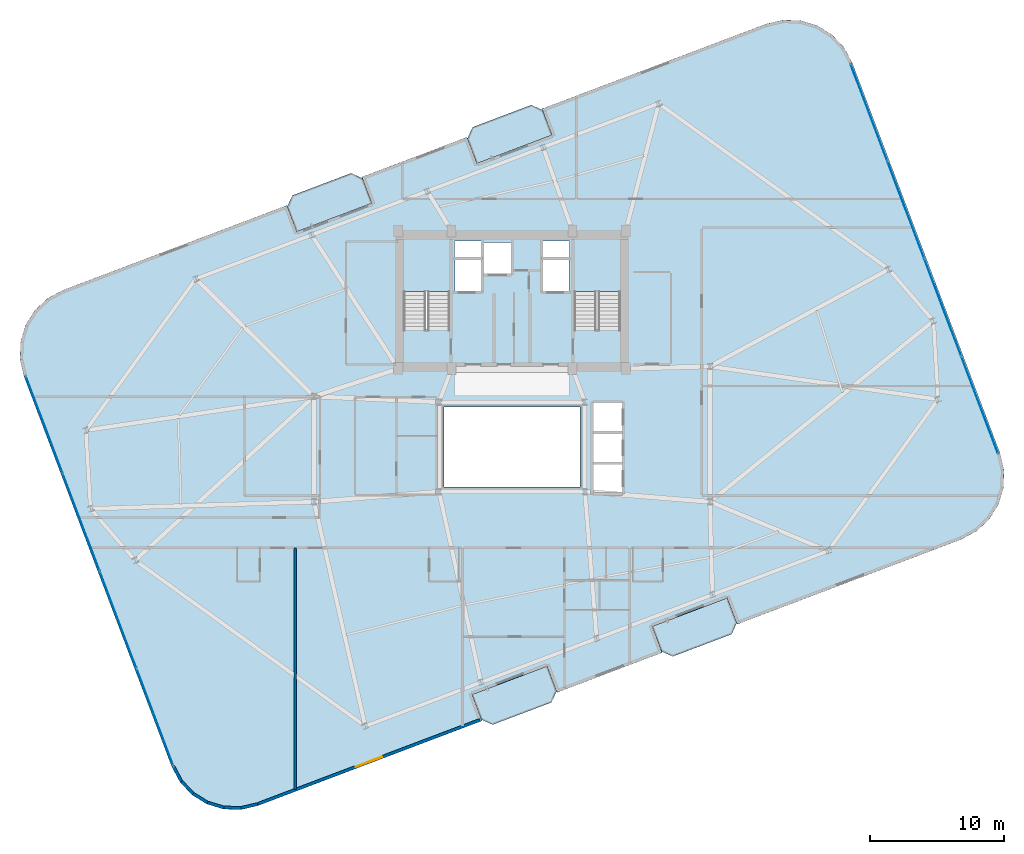
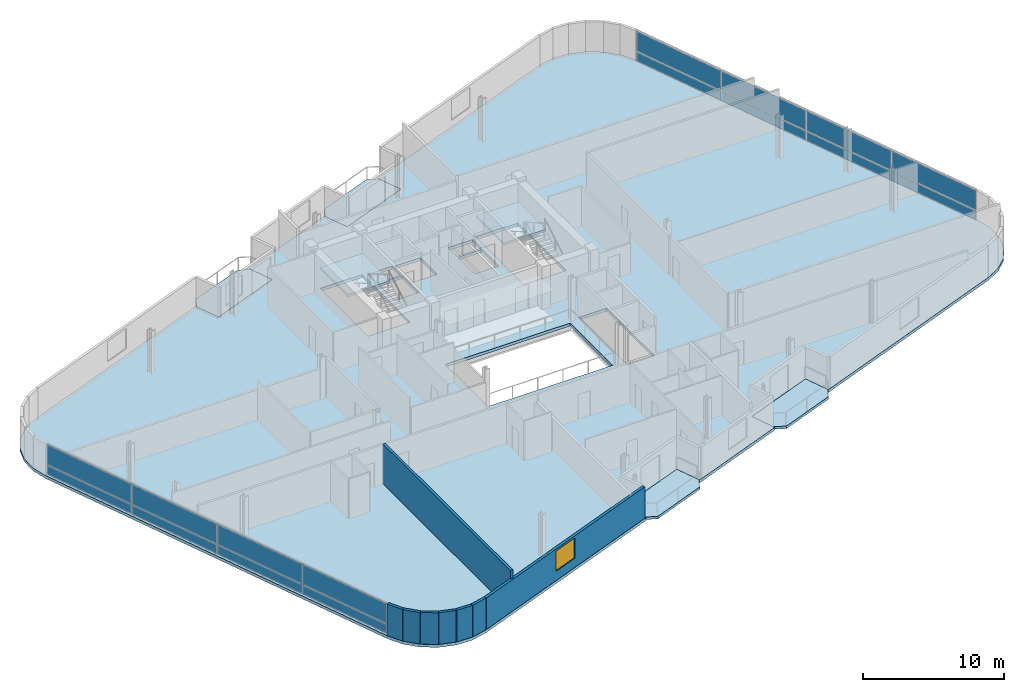
# One storey, part 13 of 19: 16 plates, 8 walls, 7 slabs, 1 window, 1 opening, 4 elements without a shape of their own.
"""IFC4 building model written with IfcOpenShell, lengths in metres."""

import ifcopenshell
import ifcopenshell.guid

model = None  # the IFC model being written
_history = None  # IfcOwnerHistory: only IFC2X3 demands one
_inside = {}  # id of a spatial element -> (the spatial element, [elements in it])
_under = {}  # id of a project, library or spatial element -> (it, [spatial elements below it])
_declared = {}  # id of a project -> (the project, [libraries it declares])
_typed = {}  # id of a type object -> (the type object, [elements of that type])
_made_of = {}  # id of a material, layer set ... -> (it, [elements and type objects made of it])


def new_model(schema):
    """Start an empty IFC model of exactly this schema.

    Asked for "IFC4X3", IfcOpenShell would pick the latest addendum, in which some entities
    have other attributes; the version numbers below select the first issue.
    IFC2X3 requires an IfcOwnerHistory on every rooted entity: one is made here for all.
    """
    global model, _history
    if schema == "IFC4X3":
        model = ifcopenshell.file(schema_version=(4, 3, 0, 0))
    else:
        model = ifcopenshell.file(schema=schema)
    _inside.clear()
    _under.clear()
    _declared.clear()
    _typed.clear()
    _made_of.clear()
    _history = None
    if model.schema == "IFC2X3":
        org = make("IfcOrganization", Name="unknown")
        user = make(
            "IfcPersonAndOrganization",
            ThePerson=make("IfcPerson", FamilyName="unknown"),
            TheOrganization=org,
        )
        app = make(
            "IfcApplication",
            ApplicationDeveloper=org,
            Version="unknown",
            ApplicationFullName="unknown",
            ApplicationIdentifier="unknown",
        )
        _history = make(
            "IfcOwnerHistory",
            OwningUser=user,
            OwningApplication=app,
            ChangeAction="ADDED",
            CreationDate=0,
        )
    return model


def make(cls, **values):
    """One entity of the class cls with the attributes given. An attribute that is None is left unset."""
    return model.create_entity(
        cls, **{name: value for name, value in values.items() if value is not None}
    )


def rooted(cls, **values):
    """An entity with a GlobalId (a new one), such as an element, a storey or a relation."""
    return make(cls, GlobalId=ifcopenshell.guid.new(), OwnerHistory=_history, **values)


def si_unit(unit_type, name, prefix=None):
    """IfcSIUnit, for example si_unit("LENGTHUNIT", "METRE", prefix="MILLI")."""
    return make("IfcSIUnit", UnitType=unit_type, Prefix=prefix, Name=name)


def assignment(units):
    """IfcUnitAssignment: the units of a project."""
    return None if units is None else make("IfcUnitAssignment", Units=units)


def point(xyz):
    """IfcCartesianPoint."""
    return None if xyz is None else make("IfcCartesianPoint", Coordinates=xyz)


def direction(xyz):
    """IfcDirection."""
    return None if xyz is None else make("IfcDirection", DirectionRatios=xyz)


def frame(location, z_axis=None, x_axis=None):
    """IfcAxis2Placement3D, a coordinate frame: its origin and axes. An axis left out is left unset."""
    return make(
        "IfcAxis2Placement3D",
        Location=point(location),
        Axis=direction(z_axis),
        RefDirection=direction(x_axis),
    )


def frame_2d(location, x_axis=None):
    """IfcAxis2Placement2D, a coordinate frame in the plane: its origin and x axis."""
    return make(
        "IfcAxis2Placement2D", Location=point(location), RefDirection=direction(x_axis)
    )


def origin():
    """The frame at (0, 0, 0) with its axes left unset."""
    return frame((0.0, 0.0, 0.0))


def origin_2d():
    """The frame at (0, 0) in the plane with its x axis left unset."""
    return frame_2d((0.0, 0.0))


def place(relative_to, where):
    """IfcLocalPlacement: puts the frame where relative to a parent placement (None: the world)."""
    return make(
        "IfcLocalPlacement", PlacementRelTo=relative_to, RelativePlacement=where
    )


def context(
    kind, dimensions, precision=None, world=None, true_north=None, identifier=None
):
    """IfcGeometricRepresentationContext, for example the 3D "Model" context."""
    return make(
        "IfcGeometricRepresentationContext",
        ContextIdentifier=identifier,
        ContextType=kind,
        CoordinateSpaceDimension=dimensions,
        Precision=precision,
        WorldCoordinateSystem=world,
        TrueNorth=true_north,
    )


def subcontext(parent, identifier, kind, view, scale=None):
    """IfcGeometricRepresentationSubContext, for example "Body" below "Model"."""
    return make(
        "IfcGeometricRepresentationSubContext",
        ContextIdentifier=identifier,
        ContextType=kind,
        ParentContext=parent,
        TargetScale=scale,
        TargetView=view,
    )


def project(units=None, contexts=None):
    """IfcProject with its units and contexts."""
    return rooted(
        "IfcProject",
        Name="project",
        RepresentationContexts=contexts,
        UnitsInContext=assignment(units),
    )


def spatial(cls, under=None, at=None, **own):
    """A site, building, storey or space (cls), placed at a placement, below another one or the project."""
    s = rooted(cls, ObjectPlacement=at, **own)
    if under is not None:
        _under.setdefault(under.id(), (under, []))[1].append(s)
    return s


def polyline(points):
    """IfcPolyline through the points."""
    return make("IfcPolyline", Points=[point(p) for p in points])


def profile(cls, at=None, kind="AREA", **sizes):
    """A parametric profile (cls). Its sizes go by their IFC names, for example OverallWidth=200.0."""
    return make(cls, ProfileType=kind, Position=at, **sizes)


def rectangle(**sizes):
    """IfcRectangleProfileDef."""
    return profile("IfcRectangleProfileDef", **sizes)


def outline(outer, holes=None, kind="AREA"):
    """IfcArbitraryClosedProfileDef: a profile drawn as a closed curve; with holes, ...WithVoids."""
    if holes is None:
        return make("IfcArbitraryClosedProfileDef", ProfileType=kind, OuterCurve=outer)
    return make(
        "IfcArbitraryProfileDefWithVoids",
        ProfileType=kind,
        OuterCurve=outer,
        InnerCurves=holes,
    )


def extrude(swept, where, along, depth):
    """IfcExtrudedAreaSolid: the profile swept, set in the frame where, extruded along a direction by depth."""
    return make(
        "IfcExtrudedAreaSolid",
        SweptArea=swept,
        Position=where,
        ExtrudedDirection=direction(along),
        Depth=depth,
    )


def shape(context_of_items, identifier, shape_type, items):
    """IfcShapeRepresentation: the items that make up one representation, for example the "Body"."""
    return make(
        "IfcShapeRepresentation",
        ContextOfItems=context_of_items,
        RepresentationIdentifier=identifier,
        RepresentationType=shape_type,
        Items=items,
    )


def source(mapping_origin, context_of_items, identifier, shape_type, items):
    """IfcRepresentationMap: a shape defined once, which mapped items show again and again."""
    return make(
        "IfcRepresentationMap",
        MappingOrigin=mapping_origin,
        MappedRepresentation=shape(context_of_items, identifier, shape_type, items),
    )


def transform(
    local_origin,
    x_axis=None,
    y_axis=None,
    z_axis=None,
    scale=None,
    scale2=None,
    scale3=None,
    uniform=True,
):
    """IfcCartesianTransformationOperator3D, or its non-uniform kind. x_axis, y_axis, z_axis: its Axis1, 2, 3."""
    if uniform:
        return make(
            "IfcCartesianTransformationOperator3D",
            Axis1=direction(x_axis),
            Axis2=direction(y_axis),
            LocalOrigin=point(local_origin),
            Scale=scale,
            Axis3=direction(z_axis),
        )
    return make(
        "IfcCartesianTransformationOperator3DnonUniform",
        Axis1=direction(x_axis),
        Axis2=direction(y_axis),
        LocalOrigin=point(local_origin),
        Scale=scale,
        Axis3=direction(z_axis),
        Scale2=scale2,
        Scale3=scale3,
    )


def mapped(mapping_source, mapping_target):
    """IfcMappedItem: shows the shape of a source again, moved by a transform."""
    return make(
        "IfcMappedItem", MappingSource=mapping_source, MappingTarget=mapping_target
    )


def material(Name=None, Category=None):
    """IfcMaterial."""
    return make("IfcMaterial", Name=Name, Category=Category)


def layer(
    of_material, thickness, ventilated=None, Name=None, Category=None, Priority=None
):
    """IfcMaterialLayer: one layer of a wall or slab, of a material (None: an air gap)."""
    return make(
        "IfcMaterialLayer",
        Material=of_material,
        LayerThickness=thickness,
        IsVentilated=ventilated,
        Name=Name,
        Category=Category,
        Priority=Priority,
    )


def layer_set(layers, Name=None):
    """IfcMaterialLayerSet."""
    return make("IfcMaterialLayerSet", MaterialLayers=layers, LayerSetName=Name)


def made_of(thing, what):
    """Note that an element or type object is made of a material, layer set ...; save() writes the relation."""
    if what is not None:
        _made_of.setdefault(what.id(), (what, []))[1].append(thing)
    return thing


def type_object(cls, material=None, **own):
    """A type object (cls), such as IfcWallType, which elements share."""
    return made_of(rooted(cls, **own), material)


def element(
    cls,
    number,
    at=None,
    inside=None,
    cuts=None,
    type_object=None,
    material=None,
    context=None,
    identifier="Body",
    shape_type=None,
    held_by="IfcProductDefinitionShape",
    body=None,
    shapes=None,
    **own,
):
    """One element of the class cls, such as IfcWall. Its Tag is "e" and its number.

    at: its placement. inside: the storey or other place that contains it. cuts: it is an
    opening in that element (IfcRelVoidsElement). A single representation is given by context,
    identifier, shape_type and body (its items); several are given by shapes. held_by: the class
    of the entity that holds the representations. save() writes the other relations.
    """
    e = rooted(cls, Tag="e%d" % number, ObjectPlacement=at, **own)
    if body is not None:
        shapes = [shape(context, identifier, shape_type, body)]
    if shapes is not None:
        e.Representation = make(held_by, Representations=shapes)
    if inside is not None:
        _inside.setdefault(inside.id(), (inside, []))[1].append(e)
    if cuts is not None:
        rooted(
            "IfcRelVoidsElement", RelatingBuildingElement=cuts, RelatedOpeningElement=e
        )
    if type_object is not None:
        _typed.setdefault(type_object.id(), (type_object, []))[1].append(e)
    return made_of(e, material)


def fill(opening, filler):
    """IfcRelFillsElement: the door or window that sits in an opening."""
    return rooted(
        "IfcRelFillsElement",
        RelatingOpeningElement=opening,
        RelatedBuildingElement=filler,
    )


def aggregate(whole, parts):
    """IfcRelAggregates: a whole, such as a stair, and the parts it consists of."""
    return rooted("IfcRelAggregates", RelatingObject=whole, RelatedObjects=parts)


def save(model, path):
    """Write the relations noted so far, then the file.

    IfcRelAggregates (storeys below a building ...), IfcRelContainedInSpatialStructure (elements
    in a storey), IfcRelDefinesByType, IfcRelAssociatesMaterial and IfcRelDeclares: one each for
    every whole, place, type object, material and project.
    """
    for whole, parts in _under.values():
        aggregate(whole, parts)
    for where, things in _inside.values():
        rooted(
            "IfcRelContainedInSpatialStructure",
            RelatedElements=things,
            RelatingStructure=where,
        )
    for kind, things in _typed.values():
        rooted("IfcRelDefinesByType", RelatedObjects=things, RelatingType=kind)
    for what, things in _made_of.values():
        rooted("IfcRelAssociatesMaterial", RelatedObjects=things, RelatingMaterial=what)
    for by, libraries in _declared.values():
        rooted("IfcRelDeclares", RelatingContext=by, RelatedDefinitions=libraries)
    model.write(path)


model = new_model("IFC4")

# Units and contexts
model_context = context("Model", 3, precision=1e-05, world=origin(), true_north=direction((0.0, 1.0)))
body_context = subcontext(model_context, "Body", "Model", "MODEL_VIEW")
ifc_project = project(units=[si_unit("LENGTHUNIT", "METRE"), si_unit("AREAUNIT", "SQUARE_METRE"), si_unit("VOLUMEUNIT", "CUBIC_METRE"), si_unit("PLANEANGLEUNIT", "RADIAN"), si_unit("MASSUNIT", "GRAM", prefix="KILO")], contexts=[model_context])

# Site, building, storey
site_placement = place(None, origin())
site = spatial("IfcSite", under=ifc_project, at=site_placement, CompositionType="ELEMENT")
building_placement = place(site_placement, origin())
building = spatial("IfcBuilding", under=site, at=building_placement, Name="Varnelok Gate Tower", CompositionType="ELEMENT")
storey_placement = place(building_placement, frame((0.0, 0.0, 231.199951171875)))
storey = spatial("IfcBuildingStorey", under=building, at=storey_placement, Name="L59", CompositionType="ELEMENT", Elevation=231.199951171875)

# Slabs
ifc_material_1 = material(Name="Concrete C45/55", Category="concrete")
ifc_layer_1 = layer(ifc_material_1, 0.219970703125)
ifc_layer_set_1 = layer_set([ifc_layer_1], Name="Concrete C45/55")
slab_type_1 = type_object("IfcSlabType", Name="SLB-BALC-220", PredefinedType="FLOOR", material=ifc_layer_set_1)
slab_1_placement = place(storey_placement, frame((0.0, 0.0, -0.219970703125)))
element("IfcSlab", 1, at=slab_1_placement, inside=storey, type_object=slab_type_1, Name="L59 South Hollow Balcony 1", PredefinedType="FLOOR", context=body_context, shape_type="SweptSolid", body=[
    extrude(outline(polyline([(36.9189453125, 2.5166015625), (37.757080078125, 2.138916015625), (42.152587890625, 3.802978515625), (42.530517578125, 4.640869140625), (41.822265625, 6.51123046875), (36.2109375, 4.386962890625), (36.9189453125, 2.5166015625)])), origin(), (0.0, 0.0, 1.0), 0.219970703125),
])
slab_2_placement = place(storey_placement, frame((0.0, 0.0, -0.219970703125)))
element("IfcSlab", 2, at=slab_2_placement, inside=storey, type_object=slab_type_1, Name="L59 South Hollow Balcony 2", PredefinedType="FLOOR", context=body_context, shape_type="SweptSolid", body=[
    extrude(outline(polyline([(50.38623046875, 7.614990234375), (51.22412109375, 7.2373046875), (55.619873046875, 8.9013671875), (55.99755859375, 9.739501953125), (55.289306640625, 11.60986328125), (49.677978515625, 9.485595703125), (50.38623046875, 7.614990234375)])), origin(), (0.0, 0.0, 1.0), 0.219970703125),
])
slab_3_placement = place(storey_placement, frame((0.0, 0.0, -0.219970703125)))
element("IfcSlab", 3, at=slab_3_placement, inside=storey, type_object=slab_type_1, Name="L59 North Hollow Balcony 1", PredefinedType="FLOOR", context=body_context, shape_type="SweptSolid", body=[
    extrude(outline(polyline([(23.110595703125, 38.990234375), (28.721923828125, 41.114501953125), (28.013916015625, 42.985107421875), (27.17578125, 43.36279296875), (22.7802734375, 41.698486328125), (22.402587890625, 40.860595703125), (23.110595703125, 38.990234375)])), origin(), (0.0, 0.0, 1.0), 0.219970703125),
])
slab_4_placement = place(storey_placement, frame((0.0, 0.0, -0.219970703125)))
element("IfcSlab", 4, at=slab_4_placement, inside=storey, type_object=slab_type_1, Name="L59 North Hollow Balcony 2", PredefinedType="FLOOR", context=body_context, shape_type="SweptSolid", body=[
    extrude(outline(polyline([(36.577880859375, 44.088623046875), (42.189208984375, 46.212890625), (41.48095703125, 48.08349609375), (40.642822265625, 48.461181640625), (36.247314453125, 46.797119140625), (35.86962890625, 45.958984375), (36.577880859375, 44.088623046875)])), origin(), (0.0, 0.0, 1.0), 0.219970703125),
])

# Stair, slab
ifc_material_2 = material(Name="Concrete C50/60", Category="concrete")
stair_type = type_object("IfcStairType", Name="STR-CORE-1650", PredefinedType="HALF_TURN_STAIR", material=ifc_material_2)
stair_1_placement = place(storey_placement, origin())
stair_1 = element("IfcStair", 5, at=stair_1_placement, inside=storey, type_object=stair_type, Name="L59 Exit Stair ST-1", PredefinedType="HALF_TURN_STAIR")
ifc_layer_2 = layer(ifc_material_1, 0.199951171875)
ifc_layer_set_2 = layer_set([ifc_layer_2], Name="Concrete C45/55")
slab_type_2 = type_object("IfcSlabType", Name="SLB-LAND-200", PredefinedType="LANDING", material=ifc_layer_set_2)
slab_5_placement = place(storey_placement, frame((0.0, 0.0, 1.650146484375)))
slab_5 = element("IfcSlab", 6, at=slab_5_placement, type_object=slab_type_2, Name="ST-1 landing 1", PredefinedType="LANDING", context=body_context, shape_type="SweptSolid", body=[
    extrude(outline(polyline([(34.550048828125, 34.5), (34.550048828125, 38.449951171875), (31.10009765625, 38.449951171875), (31.10009765625, 34.5), (34.550048828125, 34.5)])), origin(), (0.0, 0.0, 1.0), 0.199951171875),
])
aggregate(stair_1, [slab_5])

stair_2_placement = place(storey_placement, origin())
stair_2 = element("IfcStair", 7, at=stair_2_placement, inside=storey, type_object=stair_type, Name="L59 Exit Stair ST-2", PredefinedType="HALF_TURN_STAIR")
slab_6_placement = place(storey_placement, frame((0.0, 0.0, 1.650146484375)))
slab_6 = element("IfcSlab", 8, at=slab_6_placement, type_object=slab_type_2, Name="ST-2 landing 1", PredefinedType="LANDING", context=body_context, shape_type="SweptSolid", body=[
    extrude(outline(polyline([(47.300048828125, 34.5), (47.300048828125, 38.449951171875), (43.85009765625, 38.449951171875), (43.85009765625, 34.5), (47.300048828125, 34.5)])), origin(), (0.0, 0.0, 1.0), 0.199951171875),
])
aggregate(stair_2, [slab_6])

# Slab
ifc_layer_3 = layer(ifc_material_2, 0.25)
ifc_layer_set_3 = layer_set([ifc_layer_3], Name="Concrete C50/60")
slab_type_3 = type_object("IfcSlabType", Name="SLB-TYP-250", PredefinedType="FLOOR", material=ifc_layer_set_3)
slab_7_placement = place(storey_placement, frame((0.0, 0.0, -0.25)))
element("IfcSlab", 9, at=slab_7_placement, inside=storey, type_object=slab_type_3, Name="L59 Structural Floor Slab", PredefinedType="FLOOR", context=body_context, shape_type="SweptSolid", body=[
    extrude(outline(polyline([(13.767578125, -1.0087890625), (14.385009765625, -2.158935546875), (15.279296875, -3.10986328125), (16.388916015625, -3.796875), (17.638671875, -4.17333984375), (18.943359375, -4.213623046875), (20.214111328125, -3.914794921875), (29.8779296875, -0.256103515625), (36.954345703125, 2.423095703125), (36.2109375, 4.386962890625), (41.822265625, 6.51123046875), (42.56591796875, 4.54736328125), (50.421630859375, 7.521484375), (49.677978515625, 9.485595703125), (55.289306640625, 11.60986328125), (56.032958984375, 9.64599609375), (63.109619140625, 12.324951171875), (72.7734375, 15.983642578125), (73.92333984375, 16.60107421875), (74.874267578125, 17.495361328125), (75.561279296875, 18.60498046875), (75.93798828125, 19.854736328125), (75.97802734375, 21.159423828125), (75.67919921875, 22.429931640625), (64.632568359375, 51.60888671875), (64.014892578125, 52.7587890625), (63.120849609375, 53.709716796875), (62.010986328125, 54.39697265625), (60.76123046875, 54.7734375), (59.45654296875, 54.813720703125), (58.18603515625, 54.5146484375), (48.522216796875, 50.856201171875), (41.445556640625, 48.177001953125), (42.189208984375, 46.212890625), (36.577880859375, 44.088623046875), (35.834228515625, 46.052490234375), (27.978515625, 43.07861328125), (28.721923828125, 41.114501953125), (23.110595703125, 38.990234375), (22.3671875, 40.9541015625), (15.29052734375, 38.275146484375), (5.626708984375, 34.616455078125), (4.4765625, 33.998779296875), (3.525634765625, 33.104736328125), (2.838623046875, 31.9951171875), (2.462158203125, 30.7451171875), (2.422119140625, 29.440673828125), (2.720703125, 28.169921875), (13.767578125, -1.0087890625)]), holes=[polyline([(34.550048828125, 31.679931640625), (34.550048828125, 38.449951171875), (31.10009765625, 38.449951171875), (31.10009765625, 31.679931640625), (34.550048828125, 31.679931640625)]), polyline([(47.300048828125, 31.679931640625), (47.300048828125, 38.449951171875), (43.85009765625, 38.449951171875), (43.85009765625, 31.679931640625), (47.300048828125, 31.679931640625)]), polyline([(34.949951171875, 34.550048828125), (36.89990234375, 34.550048828125), (36.89990234375, 36.89990234375), (34.949951171875, 36.89990234375), (34.949951171875, 34.550048828125)]), polyline([(41.5, 34.550048828125), (43.449951171875, 34.550048828125), (43.449951171875, 36.89990234375), (41.5, 36.89990234375), (41.5, 34.550048828125)]), polyline([(37.050048828125, 35.85009765625), (39.14990234375, 35.85009765625), (39.14990234375, 38.199951171875), (37.050048828125, 38.199951171875), (37.050048828125, 35.85009765625)]), polyline([(45.25, 19.449951171875), (47.449951171875, 19.449951171875), (47.449951171875, 26.199951171875), (45.25, 26.199951171875), (45.25, 19.449951171875)]), polyline([(34.919921875, 37.080078125), (36.89990234375, 37.080078125), (36.89990234375, 38.280029296875), (34.919921875, 38.280029296875), (34.919921875, 37.080078125)]), polyline([(41.5, 37.080078125), (43.47998046875, 37.080078125), (43.47998046875, 38.280029296875), (41.5, 38.280029296875), (41.5, 37.080078125)]), polyline([(34.10009765625, 19.89990234375), (44.300048828125, 19.89990234375), (44.300048828125, 25.89990234375), (34.10009765625, 25.89990234375), (34.10009765625, 19.89990234375)])]), origin(), (0.0, 0.0, 1.0), 0.25),
])

# Curtain wall, plates
ifc_material_3 = material(Name="Anodized Aluminum Alloy 6063-T6", Category="aluminium")
ifc_layer_4 = layer(ifc_material_3, 0.179931640625)
ifc_layer_set_4 = layer_set([ifc_layer_4], Name="Anodized Aluminum Alloy 6063-T6")
curtain_wall_type = type_object("IfcCurtainWallType", Name="CW4-RESIDENCE-VISION", PredefinedType="USERDEFINED", material=ifc_layer_set_4)
curtain_wall_1_placement = place(storey_placement, origin())
curtain_wall_1 = element("IfcCurtainWall", 10, at=curtain_wall_1_placement, inside=storey, type_object=curtain_wall_type, Name="L59 West End Vision Curtain Wall", ObjectType="UNITISED CURTAIN WALL", PredefinedType="USERDEFINED")
ifc_material_4 = material(Name="Low-E Laminated Double Glazing IGU", Category="glass")
ifc_layer_5 = layer(ifc_material_4, 0.035888671875)
ifc_layer_set_5 = layer_set([ifc_layer_5], Name="Low-E Laminated Double Glazing IGU")
plate_type = type_object("IfcPlateType", Name="CW-PNL-IGU36", PredefinedType="CURTAIN_PANEL", material=ifc_layer_set_5)
shared_shape_1 = source(origin(), body_context, "Body", "SweptSolid", [
    extrude(rectangle(XDim=7.6875, YDim=0.035888671875, at=origin_2d()), origin(), (0.0, 0.0, 1.0), 0.78759765625),
])
plate_1_placement = place(storey_placement, frame((12.510986328125, 2.70556640625, 0.074951171875), z_axis=(0.0, 0.0, 1.0), x_axis=(-0.354063042079, 0.935221557832, 0.0)))
plate_1 = element("IfcPlate", 11, at=plate_1_placement, type_object=plate_type, Name="CW4 panel 1.1", PredefinedType="CURTAIN_PANEL", context=body_context, shape_type="MappedRepresentation", body=[
    mapped(shared_shape_1, transform((0.0, 0.0, 0.0), scale=1.0)),
])
plate_2_placement = place(storey_placement, frame((4.2392578125, 24.5546875, 0.074951171875), z_axis=(0.0, 0.0, 1.0), x_axis=(-0.354063042079, 0.935221557832, 0.0)))
plate_2 = element("IfcPlate", 12, at=plate_2_placement, type_object=plate_type, Name="CW4 panel 4.1", PredefinedType="CURTAIN_PANEL", context=body_context, shape_type="MappedRepresentation", body=[
    mapped(shared_shape_1, transform((0.0, 0.0, 0.0), scale=1.0)),
])

curtain_wall_2_placement = place(storey_placement, origin())
curtain_wall_2 = element("IfcCurtainWall", 13, at=curtain_wall_2_placement, inside=storey, type_object=curtain_wall_type, Name="L59 East End Vision Curtain Wall", ObjectType="UNITISED CURTAIN WALL", PredefinedType="USERDEFINED")
plate_3_placement = place(storey_placement, frame((65.888916015625, 47.89453125, 0.074951171875), z_axis=(0.0, 0.0, 1.0), x_axis=(0.354063042079, -0.935221557832, 0.0)))
plate_3 = element("IfcPlate", 14, at=plate_3_placement, type_object=plate_type, Name="CW4 panel 1.1", PredefinedType="CURTAIN_PANEL", context=body_context, shape_type="MappedRepresentation", body=[
    mapped(shared_shape_1, transform((0.0, 0.0, 0.0), scale=1.0)),
])
plate_4_placement = place(storey_placement, frame((74.160888671875, 26.04541015625, 0.074951171875), z_axis=(0.0, 0.0, 1.0), x_axis=(0.354063042079, -0.935221557832, 0.0)))
plate_4 = element("IfcPlate", 15, at=plate_4_placement, type_object=plate_type, Name="CW4 panel 4.1", PredefinedType="CURTAIN_PANEL", context=body_context, shape_type="MappedRepresentation", body=[
    mapped(shared_shape_1, transform((0.0, 0.0, 0.0), scale=1.0)),
])

# Plate
shared_shape_2 = source(origin(), body_context, "Body", "SweptSolid", [
    extrude(rectangle(XDim=7.6875, YDim=0.035888671875, at=origin_2d()), origin(), (0.0, 0.0, 1.0), 1.717529296875),
])
plate_5_placement = place(storey_placement, frame((12.510986328125, 2.70556640625, 0.9375), z_axis=(0.0, 0.0, 1.0), x_axis=(-0.354063042079, 0.935221557832, 0.0)))
plate_5 = element("IfcPlate", 16, at=plate_5_placement, type_object=plate_type, Name="CW4 panel 1.2", PredefinedType="CURTAIN_PANEL", context=body_context, shape_type="MappedRepresentation", body=[
    mapped(shared_shape_2, transform((0.0, 0.0, 0.0), scale=1.0)),
])

plate_6_placement = place(storey_placement, frame((4.2392578125, 24.5546875, 0.9375), z_axis=(0.0, 0.0, 1.0), x_axis=(-0.354063042079, 0.935221557832, 0.0)))
plate_6 = element("IfcPlate", 17, at=plate_6_placement, type_object=plate_type, Name="CW4 panel 4.2", PredefinedType="CURTAIN_PANEL", context=body_context, shape_type="MappedRepresentation", body=[
    mapped(shared_shape_2, transform((0.0, 0.0, 0.0), scale=1.0)),
])

plate_7_placement = place(storey_placement, frame((65.888916015625, 47.89453125, 0.9375), z_axis=(0.0, 0.0, 1.0), x_axis=(0.354063042079, -0.935221557832, 0.0)))
plate_7 = element("IfcPlate", 18, at=plate_7_placement, type_object=plate_type, Name="CW4 panel 1.2", PredefinedType="CURTAIN_PANEL", context=body_context, shape_type="MappedRepresentation", body=[
    mapped(shared_shape_2, transform((0.0, 0.0, 0.0), scale=1.0)),
])

plate_8_placement = place(storey_placement, frame((74.160888671875, 26.04541015625, 0.9375), z_axis=(0.0, 0.0, 1.0), x_axis=(0.354063042079, -0.935221557832, 0.0)))
plate_8 = element("IfcPlate", 19, at=plate_8_placement, type_object=plate_type, Name="CW4 panel 4.2", PredefinedType="CURTAIN_PANEL", context=body_context, shape_type="MappedRepresentation", body=[
    mapped(shared_shape_2, transform((0.0, 0.0, 0.0), scale=1.0)),
])

shared_shape_3 = source(origin(), body_context, "Body", "SweptSolid", [
    extrude(rectangle(XDim=7.72509765625, YDim=0.035888671875, at=origin_2d()), origin(), (0.0, 0.0, 1.0), 0.78759765625),
])
plate_9_placement = place(storey_placement, frame((9.755859375, 9.982666015625, 0.074951171875), z_axis=(0.0, 0.0, 1.0), x_axis=(-0.354063042079, 0.935221557832, 0.0)))
plate_9 = element("IfcPlate", 20, at=plate_9_placement, type_object=plate_type, Name="CW4 panel 2.1", PredefinedType="CURTAIN_PANEL", context=body_context, shape_type="MappedRepresentation", body=[
    mapped(shared_shape_3, transform((0.0, 0.0, 0.0), scale=1.0)),
])

plate_10_placement = place(storey_placement, frame((6.994140625, 17.277587890625, 0.074951171875), z_axis=(0.0, 0.0, 1.0), x_axis=(-0.354063042079, 0.935221557832, 0.0)))
plate_10 = element("IfcPlate", 21, at=plate_10_placement, type_object=plate_type, Name="CW4 panel 3.1", PredefinedType="CURTAIN_PANEL", context=body_context, shape_type="MappedRepresentation", body=[
    mapped(shared_shape_3, transform((0.0, 0.0, 0.0), scale=1.0)),
])

plate_11_placement = place(storey_placement, frame((68.64404296875, 40.6171875, 0.074951171875), z_axis=(0.0, 0.0, 1.0), x_axis=(0.354063042079, -0.935221557832, 0.0)))
plate_11 = element("IfcPlate", 22, at=plate_11_placement, type_object=plate_type, Name="CW4 panel 2.1", PredefinedType="CURTAIN_PANEL", context=body_context, shape_type="MappedRepresentation", body=[
    mapped(shared_shape_3, transform((0.0, 0.0, 0.0), scale=1.0)),
])

plate_12_placement = place(storey_placement, frame((71.40576171875, 33.322509765625, 0.074951171875), z_axis=(0.0, 0.0, 1.0), x_axis=(0.354063042079, -0.935221557832, 0.0)))
plate_12 = element("IfcPlate", 23, at=plate_12_placement, type_object=plate_type, Name="CW4 panel 3.1", PredefinedType="CURTAIN_PANEL", context=body_context, shape_type="MappedRepresentation", body=[
    mapped(shared_shape_3, transform((0.0, 0.0, 0.0), scale=1.0)),
])

shared_shape_4 = source(origin(), body_context, "Body", "SweptSolid", [
    extrude(rectangle(XDim=7.72509765625, YDim=0.035888671875, at=origin_2d()), origin(), (0.0, 0.0, 1.0), 1.717529296875),
])
plate_13_placement = place(storey_placement, frame((9.755859375, 9.982666015625, 0.9375), z_axis=(0.0, 0.0, 1.0), x_axis=(-0.354063042079, 0.935221557832, 0.0)))
plate_13 = element("IfcPlate", 24, at=plate_13_placement, type_object=plate_type, Name="CW4 panel 2.2", PredefinedType="CURTAIN_PANEL", context=body_context, shape_type="MappedRepresentation", body=[
    mapped(shared_shape_4, transform((0.0, 0.0, 0.0), scale=1.0)),
])

plate_14_placement = place(storey_placement, frame((6.994140625, 17.277587890625, 0.9375), z_axis=(0.0, 0.0, 1.0), x_axis=(-0.354063042079, 0.935221557832, 0.0)))
plate_14 = element("IfcPlate", 25, at=plate_14_placement, type_object=plate_type, Name="CW4 panel 3.2", PredefinedType="CURTAIN_PANEL", context=body_context, shape_type="MappedRepresentation", body=[
    mapped(shared_shape_4, transform((0.0, 0.0, 0.0), scale=1.0)),
])

aggregate(curtain_wall_1, [plate_1, plate_5, plate_9, plate_13, plate_10, plate_14, plate_2, plate_6])

plate_15_placement = place(storey_placement, frame((68.64404296875, 40.6171875, 0.9375), z_axis=(0.0, 0.0, 1.0), x_axis=(0.354063042079, -0.935221557832, 0.0)))
plate_15 = element("IfcPlate", 26, at=plate_15_placement, type_object=plate_type, Name="CW4 panel 2.2", PredefinedType="CURTAIN_PANEL", context=body_context, shape_type="MappedRepresentation", body=[
    mapped(shared_shape_4, transform((0.0, 0.0, 0.0), scale=1.0)),
])

plate_16_placement = place(storey_placement, frame((71.40576171875, 33.322509765625, 0.9375), z_axis=(0.0, 0.0, 1.0), x_axis=(0.354063042079, -0.935221557832, 0.0)))
plate_16 = element("IfcPlate", 27, at=plate_16_placement, type_object=plate_type, Name="CW4 panel 3.2", PredefinedType="CURTAIN_PANEL", context=body_context, shape_type="MappedRepresentation", body=[
    mapped(shared_shape_4, transform((0.0, 0.0, 0.0), scale=1.0)),
])

aggregate(curtain_wall_2, [plate_3, plate_7, plate_11, plate_15, plate_12, plate_16, plate_4, plate_8])

# Walls
ifc_layer_6 = layer(ifc_material_1, 0.219970703125)
ifc_layer_set_6 = layer_set([ifc_layer_6], Name="Concrete C45/55")
wall_type_1 = type_object("IfcWallType", Name="EW-BALC-220", PredefinedType="SOLIDWALL", material=ifc_layer_set_6)
wall_1_placement = place(storey_placement, frame((13.880615234375, -0.966064453125, 0.0), z_axis=(0.0, 0.0, 1.0), x_axis=(0.473242342135, -0.88093228208, 0.0)))
element("IfcWall", 28, at=wall_1_placement, inside=storey, type_object=wall_type_1, Name="L59 Perimeter Facade Closure Wall 1", PredefinedType="SOLIDWALL", context=body_context, shape_type="SweptSolid", body=[
    extrude(rectangle(XDim=1.273681640625, YDim=0.219970703125, at=frame_2d((0.63671875, 0.0))), origin(), (0.0, 0.0, 1.0), 2.72998046875),
])
for number, where, z_axis, x_axis, name in (
    (29, (14.50048828125, -2.1064453125, 0.0), (0.0, 0.0, 1.0), (0.684968140504, -0.728573020702, 0.0), "L59 Perimeter Facade Closure Wall 2"),
    (30, (15.377197265625, -3.029296875, 0.0), (0.0, 0.0, 1.0), (0.850231806078, -0.526408468713, 0.0), "L59 Perimeter Facade Closure Wall 3"),
    (31, (16.462646484375, -3.69384765625, 0.0), (0.0, 0.0, 1.0), (0.957508189204, -0.288406081086, 0.0), "L59 Perimeter Facade Closure Wall 4"),
):
    element("IfcWall", number, at=place(storey_placement, frame(where, z_axis=z_axis, x_axis=x_axis)), inside=storey, type_object=wall_type_1, Name=name, PredefinedType="SOLIDWALL", context=body_context, shape_type="SweptSolid", body=[
        extrude(rectangle(XDim=1.24853515625, YDim=0.219970703125, at=frame_2d((0.624267578125, 0.0))), origin(), (0.0, 0.0, 1.0), 2.72998046875),
    ])
wall_2_placement = place(storey_placement, frame((17.68310546875, -4.0546875, 0.0), z_axis=(0.0, 0.0, 1.0), x_axis=(0.999522886512, -0.030886879732, 0.0)))
element("IfcWall", 32, at=wall_2_placement, inside=storey, type_object=wall_type_1, Name="L59 Perimeter Facade Closure Wall 5", PredefinedType="SOLIDWALL", context=body_context, shape_type="SweptSolid", body=[
    extrude(rectangle(XDim=1.248779296875, YDim=0.219970703125, at=frame_2d((0.62451171875, 0.0))), origin(), (0.0, 0.0, 1.0), 2.72998046875),
])
wall_3_placement = place(storey_placement, frame((18.95556640625, -4.08740234375, 0.0), z_axis=(0.0, 0.0, 1.0), x_axis=(0.973463008152, 0.228844426981, 0.0)))
element("IfcWall", 33, at=wall_3_placement, inside=storey, type_object=wall_type_1, Name="L59 Perimeter Facade Closure Wall 6", PredefinedType="SOLIDWALL", context=body_context, shape_type="SweptSolid", body=[
    extrude(rectangle(XDim=1.2568359375, YDim=0.219970703125, at=frame_2d((0.62841796875, 0.0))), origin(), (0.0, 0.0, 1.0), 2.72998046875),
])

# Wall, opening, window
wall_4_placement = place(storey_placement, frame((20.2021484375, -3.790771484375, 0.0), z_axis=(0.0, 0.0, 1.0), x_axis=(0.935225574232, 0.354052432984, 0.0)))
wall_4 = element("IfcWall", 34, at=wall_4_placement, inside=storey, type_object=wall_type_1, Name="L59 Perimeter Facade Closure Wall 7", PredefinedType="SOLIDWALL", context=body_context, shape_type="SweptSolid", body=[
    extrude(rectangle(XDim=17.747314453125, YDim=0.219970703125, at=frame_2d((8.87353515625, 0.0))), origin(), (0.0, 0.0, 1.0), 2.72998046875),
])
opening_placement = place(wall_4_placement, frame((7.823486328125, 0.0, 0.800048828125)))
opening = element("IfcOpeningElement", 35, at=opening_placement, cuts=wall_4, Name="Opening WN4", PredefinedType="OPENING", context=body_context, shape_type="SweptSolid", body=[
    extrude(rectangle(XDim=2.10009765625, YDim=1.75, at=frame_2d((1.050048828125, 0.875))), frame((0.0, 0.119873046875, 0.0), z_axis=(0.0, -1.0, 0.0), x_axis=(1.0, 0.0, 0.0)), (0.0, 0.0, 1.0), 0.239990234375),
])
window_type = type_object("IfcWindowType", Name="WN-SUI-2100", PartitioningType="SINGLE_PANEL", PredefinedType="WINDOW", material=ifc_material_4)
window_placement = place(opening_placement, origin())
window = element("IfcWindow", 36, at=window_placement, inside=storey, type_object=window_type, Name="L59 Perimeter Vision Window 7", OverallHeight=1.75, OverallWidth=2.10009765625, PartitioningType="SINGLE_PANEL", PredefinedType="WINDOW", context=body_context, shape_type="SweptSolid", body=[
    extrude(rectangle(XDim=2.10009765625, YDim=1.75, at=frame_2d((1.050048828125, 0.875))), frame((0.0, 0.030029296875, 0.0), z_axis=(0.0, -1.0, 0.0), x_axis=(1.0, 0.0, 0.0)), (0.0, 0.0, 1.0), 0.06005859375),
])
fill(opening, window)

# Wall
ifc_material_5 = material(Name="Gypsum Plasterboard Acoustic Partition", Category="gypsum")
ifc_layer_7 = layer(ifc_material_5, 0.205078125)
ifc_layer_set_7 = layer_set([ifc_layer_7], Name="Gypsum Plasterboard Acoustic Partition")
wall_type_2 = type_object("IfcWallType", Name="PW-PARTY-200", PredefinedType="PARTITIONING", material=ifc_layer_set_7)
wall_5_placement = place(storey_placement, frame((23.0, -2.710205078125, 0.0), z_axis=(0.0, 0.0, 1.0), x_axis=(0.0, 1.0, 0.0)))
element("IfcWall", 37, at=wall_5_placement, inside=storey, type_object=wall_type_2, Name="L59 South Party Wall 1", PredefinedType="PARTITIONING", context=body_context, shape_type="SweptSolid", body=[
    extrude(rectangle(XDim=18.060302734375, YDim=0.205078125, at=frame_2d((9.0302734375, 0.0))), origin(), (0.0, 0.0, 1.0), 3.449951171875),
])

save(model, "model.ifc")
